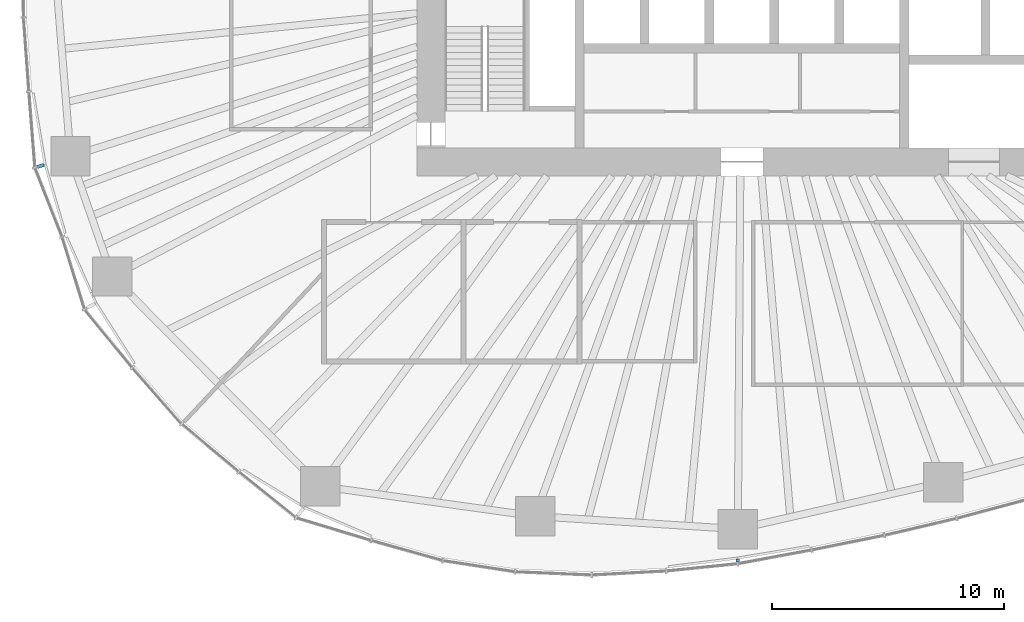
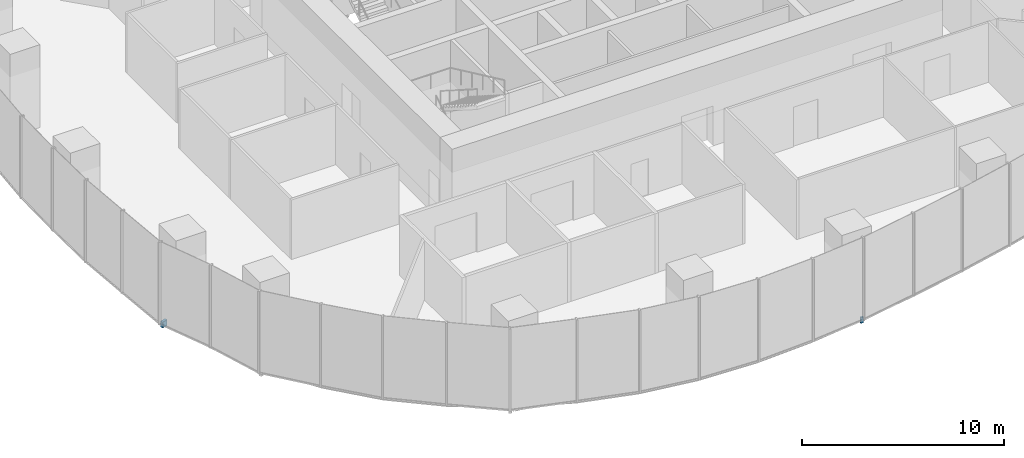
# One storey, part 13 of 20: 2 discrete accessories.
"""IFC4 building model written with IfcOpenShell, lengths in metres."""

from ifc_helpers import new_model, si_unit, direction, frame, origin, origin_2d, place, context, subcontext, project, spatial, rectangle, extrude, material, type_object, element, save


model = new_model("IFC4")

# Units and contexts
model_context = context("Model", 3, precision=1e-05, world=origin(), true_north=direction((0.0, 1.0)))
body_context = subcontext(model_context, "Body", "Model", "MODEL_VIEW")
ifc_project = project(units=[si_unit("LENGTHUNIT", "METRE"), si_unit("AREAUNIT", "SQUARE_METRE"), si_unit("VOLUMEUNIT", "CUBIC_METRE"), si_unit("PLANEANGLEUNIT", "RADIAN"), si_unit("MASSUNIT", "GRAM", prefix="KILO")], contexts=[model_context])

# Site, building, storey
site_placement = place(None, origin())
site = spatial("IfcSite", under=ifc_project, at=site_placement, CompositionType="ELEMENT")
building_placement = place(site_placement, origin())
building = spatial("IfcBuilding", under=site, at=building_placement, Name="Ghaith Harvest Tower", CompositionType="ELEMENT")
storey_placement = place(building_placement, frame((0.0, 0.0, 60.0)))
storey = spatial("IfcBuildingStorey", under=building, at=storey_placement, Name="L12", CompositionType="ELEMENT", Elevation=60.0)

# Discrete accessories
ifc_material_1 = material(Name="Stainless steel grade 1.4401", Category="steel")
discrete_accessory_type_1 = type_object("IfcDiscreteAccessoryType", Name="CURTAIN WALL BRACKET 315", PredefinedType="BRACKET", material=ifc_material_1)
discrete_accessory_1_placement = place(storey_placement, frame((-30.219482421875, -9.5771484375, -0.25), z_axis=(0.0, 0.0, 1.0), x_axis=(-0.953273219416, -0.302109531701, 0.0)))
element("IfcDiscreteAccessory", 1, at=discrete_accessory_1_placement, inside=storey, type_object=discrete_accessory_type_1, Name="CW-F bracket 1 bay 12 L12", PredefinedType="BRACKET", context=body_context, shape_type="SweptSolid", body=[
    extrude(rectangle(XDim=0.31494140625, YDim=0.14990234375, at=origin_2d()), origin(), (0.0, 0.0, 1.0), 0.35009765625),
])
ifc_material_2 = material(Name="Stainless steel grade 1.4401", Category="steel")
discrete_accessory_type_2 = type_object("IfcDiscreteAccessoryType", Name="CURTAIN WALL BRACKET 95", PredefinedType="BRACKET", material=ifc_material_2)
discrete_accessory_2_placement = place(storey_placement, frame((-0.181884765625, -26.569580078125, -0.25), z_axis=(0.0, 0.0, 1.0), x_axis=(-0.006843747957, -0.999976581283, 0.0)))
element("IfcDiscreteAccessory", 2, at=discrete_accessory_2_placement, inside=storey, type_object=discrete_accessory_type_2, Name="CW-F bracket 1 bay 16 L12", PredefinedType="BRACKET", context=body_context, shape_type="SweptSolid", body=[
    extrude(rectangle(XDim=0.094970703125, YDim=0.14990234375, at=origin_2d()), origin(), (0.0, 0.0, 1.0), 0.35009765625),
])

save(model, "model.ifc")
